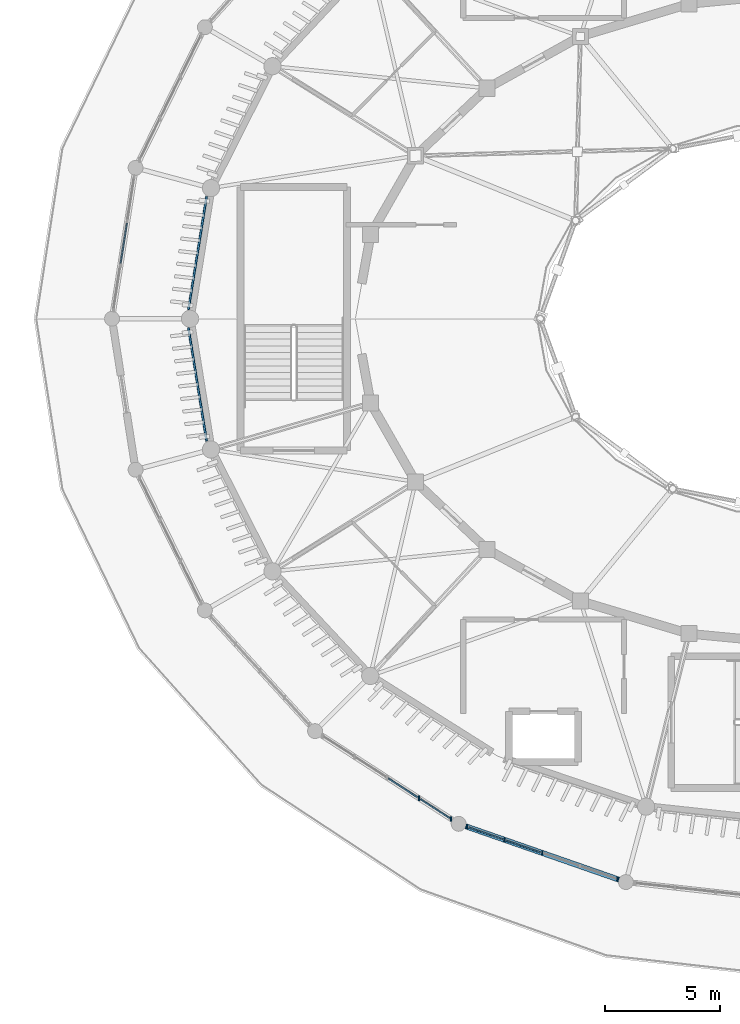
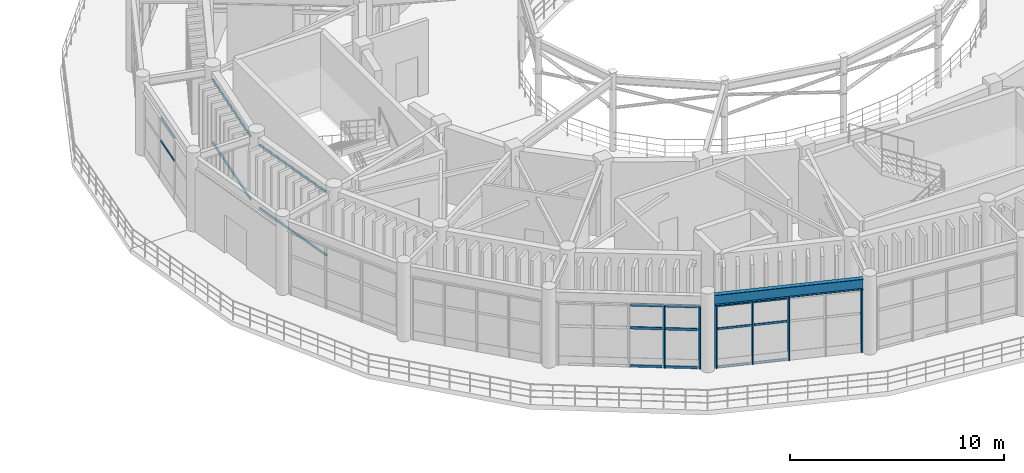
# One storey, part 7 of 45: 24 members, 1 beam, 3 elements without a shape of their own.
"""IFC4 building model written with IfcOpenShell, lengths in metres."""

from ifc_helpers import new_model, si_unit, direction, frame, origin, origin_2d, place, context, subcontext, project, spatial, rectangle, i_section, extrude, material, material_profile, profile_set, type_object, element, aggregate, save


model = new_model("IFC4")

# Units and contexts
model_context = context("Model", 3, precision=1e-05, world=origin(), true_north=direction((0.0, 1.0)))
body_context = subcontext(model_context, "Body", "Model", "MODEL_VIEW")
ifc_project = project(units=[si_unit("LENGTHUNIT", "METRE"), si_unit("AREAUNIT", "SQUARE_METRE"), si_unit("VOLUMEUNIT", "CUBIC_METRE"), si_unit("PLANEANGLEUNIT", "RADIAN"), si_unit("MASSUNIT", "GRAM", prefix="KILO")], contexts=[model_context])

# Site, building, storey
site_placement = place(None, origin())
site = spatial("IfcSite", under=ifc_project, at=site_placement, CompositionType="ELEMENT")
building_placement = place(site_placement, origin())
building = spatial("IfcBuilding", under=site, at=building_placement, Name="Cinderbank Siding Concert Hall", CompositionType="ELEMENT")
storey_placement = place(building_placement, frame((0.0, 0.0, 19.199951171875)))
storey = spatial("IfcBuildingStorey", under=building, at=storey_placement, Name="L05", CompositionType="ELEMENT", Elevation=19.199951171875)

# Beam
ifc_material_1 = material(Name="Structural steel AS/NZS 3679.1 Grade 350 (340 MPa)", Category="steel")
ifc_material_profile_1 = material_profile(ifc_material_1, i_section(OverallWidth=0.22802734375, OverallDepth=0.60693359375, WebThickness=0.01123046875, FlangeThickness=0.017333984375, at=origin_2d()), Name="610UB113", Category="LoadBearing")
ifc_profile_set_1 = profile_set([ifc_material_profile_1], Name="Structural steel AS/NZS 3679.1 Grade 350 (340 MPa)")
beam_type = type_object("IfcBeamType", Name="BM-UB610M 610UB113", PredefinedType="BEAM", material=ifc_profile_set_1)
beam_placement = place(storey_placement, frame((107.199462890625, 21.898681640625, 3.928466796875), z_axis=(0.944334299593, -0.328987432301, 0.0), x_axis=(0.328987432301, 0.944334299593, 0.0)))
element("IfcBeam", 1, at=beam_placement, inside=storey, type_object=beam_type, Name="L05 Beam BM-UB610M #775", PredefinedType="BEAM", context=body_context, shape_type="SweptSolid", body=[
    extrude(i_section(OverallWidth=0.22802734375, OverallDepth=0.60693359375, WebThickness=0.01123046875, FlangeThickness=0.017333984375, at=origin_2d()), origin(), (0.0, 0.0, 1.0), 7.078857421875),
])

# Curtain wall, members
ifc_material_2 = material(Name="Anodised aluminium alloy 6063-T6", Category="aluminium")
curtain_wall_type_1 = type_object("IfcCurtainWallType", Name="CW-09 Unitised Acoustic Curtain Wall 8000x3500", PredefinedType="NOTDEFINED", material=ifc_material_2)
curtain_wall_1_placement = place(storey_placement, origin())
curtain_wall_1 = element("IfcCurtainWall", 2, at=curtain_wall_1_placement, inside=storey, type_object=curtain_wall_type_1, Name="L05 Curtain Wall CW-09 #86", PredefinedType="NOTDEFINED")
ifc_material_profile_2 = material_profile(ifc_material_2, rectangle(XDim=0.06005859375, YDim=0.159912109375, at=origin_2d()), Name="ALU-MULL-60x160", Category="LoadBearing")
ifc_profile_set_2 = profile_set([ifc_material_profile_2], Name="Anodised aluminium alloy 6063-T6")
member_type_1 = type_object("IfcMemberType", Name="CW-ML1 Mullion 60x160", PredefinedType="MULLION", material=ifc_profile_set_2)
member_1_placement = place(storey_placement, frame((107.268310546875, 21.874755859375, 0.0), z_axis=(0.0, 0.0, 1.0), x_axis=(1.0, 0.0, 0.0)))
member_1 = element("IfcMember", 3, at=member_1_placement, type_object=member_type_1, Name="CW-L05-086 Mullion 0", PredefinedType="MULLION", context=body_context, shape_type="SweptSolid", body=[
    extrude(rectangle(XDim=0.06005859375, YDim=0.159912109375, at=origin_2d()), origin(), (0.0, 0.0, 1.0), 3.610107421875),
])
member_2_placement = place(storey_placement, frame((108.905029296875, 21.304443359375, 0.0), z_axis=(0.0, 0.0, 1.0), x_axis=(1.0, 0.0, 0.0)))
member_2 = element("IfcMember", 4, at=member_2_placement, type_object=member_type_1, Name="CW-L05-086 Mullion 1", PredefinedType="MULLION", context=body_context, shape_type="SweptSolid", body=[
    extrude(rectangle(XDim=0.06005859375, YDim=0.159912109375, at=origin_2d()), origin(), (0.0, 0.0, 1.0), 3.610107421875),
])
member_3_placement = place(storey_placement, frame((110.541748046875, 20.734130859375, 0.0), z_axis=(0.0, 0.0, 1.0), x_axis=(1.0, 0.0, 0.0)))
member_3 = element("IfcMember", 5, at=member_3_placement, type_object=member_type_1, Name="CW-L05-086 Mullion 2", PredefinedType="MULLION", context=body_context, shape_type="SweptSolid", body=[
    extrude(rectangle(XDim=0.06005859375, YDim=0.159912109375, at=origin_2d()), origin(), (0.0, 0.0, 1.0), 3.610107421875),
])
member_4_placement = place(storey_placement, frame((113.8154296875, 19.59375, 0.0), z_axis=(0.0, 0.0, 1.0), x_axis=(1.0, 0.0, 0.0)))
member_4 = element("IfcMember", 6, at=member_4_placement, type_object=member_type_1, Name="CW-L05-086 Mullion 4", PredefinedType="MULLION", context=body_context, shape_type="SweptSolid", body=[
    extrude(rectangle(XDim=0.06005859375, YDim=0.159912109375, at=origin_2d()), origin(), (0.0, 0.0, 1.0), 3.610107421875),
])

curtain_wall_type_2 = type_object("IfcCurtainWallType", Name="CW-12 Unitised Acoustic Curtain Wall 5800x3500", PredefinedType="NOTDEFINED", material=ifc_material_2)
curtain_wall_2_placement = place(storey_placement, origin())
curtain_wall_2 = element("IfcCurtainWall", 7, at=curtain_wall_2_placement, inside=storey, type_object=curtain_wall_type_2, Name="L05 Curtain Wall CW-12 #85", PredefinedType="NOTDEFINED")
ifc_material_profile_3 = material_profile(ifc_material_2, rectangle(XDim=0.06494140625, YDim=0.199951171875, at=origin_2d()), Name="ALU-MULL-65x200", Category="LoadBearing")
ifc_profile_set_3 = profile_set([ifc_material_profile_3], Name="Anodised aluminium alloy 6063-T6")
member_type_2 = type_object("IfcMemberType", Name="CW-ML2 Mullion 65x200", PredefinedType="MULLION", material=ifc_profile_set_3)
member_5_placement = place(storey_placement, frame((105.172607421875, 23.117919921875, 0.0), z_axis=(0.0, 0.0, 1.0), x_axis=(1.0, 0.0, 0.0)))
member_5 = element("IfcMember", 8, at=member_5_placement, type_object=member_type_2, Name="CW-L05-085 Mullion 3", PredefinedType="MULLION", context=body_context, shape_type="SweptSolid", body=[
    extrude(rectangle(XDim=0.06494140625, YDim=0.199951171875, at=origin_2d()), origin(), (0.0, 0.0, 1.0), 3.610107421875),
])
member_6_placement = place(storey_placement, frame((106.572265625, 22.214599609375, 0.0), z_axis=(0.0, 0.0, 1.0), x_axis=(1.0, 0.0, 0.0)))
member_6 = element("IfcMember", 9, at=member_6_placement, type_object=member_type_2, Name="CW-L05-085 Mullion 4", PredefinedType="MULLION", context=body_context, shape_type="SweptSolid", body=[
    extrude(rectangle(XDim=0.06494140625, YDim=0.199951171875, at=origin_2d()), origin(), (0.0, 0.0, 1.0), 3.610107421875),
])

curtain_wall_3_placement = place(storey_placement, origin())
curtain_wall_3 = element("IfcCurtainWall", 10, at=curtain_wall_3_placement, inside=storey, type_object=curtain_wall_type_2, Name="L05 Curtain Wall CW-12 #82", PredefinedType="NOTDEFINED")
ifc_material_profile_4 = material_profile(ifc_material_2, rectangle(XDim=0.06005859375, YDim=0.1201171875, at=origin_2d()), Name="ALU-TRAN-60x120", Category="LoadBearing")
ifc_profile_set_4 = profile_set([ifc_material_profile_4], Name="Anodised aluminium alloy 6063-T6")
member_type_3 = type_object("IfcMemberType", Name="CW-TR1 Transom 60x120", PredefinedType="USERDEFINED", material=ifc_profile_set_4)
member_7_placement = place(storey_placement, frame((92.45068359375, 48.157470703125, 2.23828125), z_axis=(-0.154617780003, -0.987974363082, 0.0), x_axis=(0.987974363082, -0.154617780003, 0.0)))
member_7 = element("IfcMember", 11, at=member_7_placement, type_object=member_type_3, Name="CW-L05-082 Transom 1-1", ObjectType="TRANSOM", PredefinedType="USERDEFINED", context=body_context, shape_type="SweptSolid", body=[
    extrude(rectangle(XDim=0.06005859375, YDim=0.1201171875, at=origin_2d()), origin(), (0.0, 0.0, 1.0), 1.76220703125),
])
member_8_placement = place(storey_placement, frame((92.45068359375, 48.157470703125, 3.550048828125), z_axis=(-0.154617780003, -0.987974363082, 0.0), x_axis=(0.987974363082, -0.154617780003, 0.0)))
member_8 = element("IfcMember", 12, at=member_8_placement, type_object=member_type_3, Name="CW-L05-082 Transom 1-2", ObjectType="TRANSOM", PredefinedType="USERDEFINED", context=body_context, shape_type="SweptSolid", body=[
    extrude(rectangle(XDim=0.06005859375, YDim=0.1201171875, at=origin_2d()), origin(), (0.0, 0.0, 1.0), 1.76220703125),
])
aggregate(curtain_wall_3, [member_7, member_8])

# Member
member_9_placement = place(storey_placement, frame((107.35009765625, 21.84619140625, 0.06005859375), z_axis=(0.944340450587, -0.328969775793, 0.0), x_axis=(0.328969775793, 0.944340450587, 0.0)))
member_9 = element("IfcMember", 13, at=member_9_placement, type_object=member_type_3, Name="CW-L05-086 Transom 0-0", ObjectType="TRANSOM", PredefinedType="USERDEFINED", context=body_context, shape_type="SweptSolid", body=[
    extrude(rectangle(XDim=0.06005859375, YDim=0.1201171875, at=origin_2d()), origin(), (0.0, 0.0, 1.0), 1.56005859375),
])

member_10_placement = place(storey_placement, frame((107.35009765625, 21.84619140625, 2.23828125), z_axis=(0.944340450587, -0.328969775793, 0.0), x_axis=(0.328969775793, 0.944340450587, 0.0)))
member_10 = element("IfcMember", 14, at=member_10_placement, type_object=member_type_3, Name="CW-L05-086 Transom 0-1", ObjectType="TRANSOM", PredefinedType="USERDEFINED", context=body_context, shape_type="SweptSolid", body=[
    extrude(rectangle(XDim=0.06005859375, YDim=0.1201171875, at=origin_2d()), origin(), (0.0, 0.0, 1.0), 1.56005859375),
])

member_11_placement = place(storey_placement, frame((107.35009765625, 21.84619140625, 3.550048828125), z_axis=(0.944340450587, -0.328969775793, 0.0), x_axis=(0.328969775793, 0.944340450587, 0.0)))
member_11 = element("IfcMember", 15, at=member_11_placement, type_object=member_type_3, Name="CW-L05-086 Transom 0-2", ObjectType="TRANSOM", PredefinedType="USERDEFINED", context=body_context, shape_type="SweptSolid", body=[
    extrude(rectangle(XDim=0.06005859375, YDim=0.1201171875, at=origin_2d()), origin(), (0.0, 0.0, 1.0), 1.56005859375),
])

member_12_placement = place(storey_placement, frame((108.98681640625, 21.27587890625, 0.06005859375), z_axis=(0.944340450587, -0.328969775793, 0.0), x_axis=(0.328969775793, 0.944340450587, 0.0)))
member_12 = element("IfcMember", 16, at=member_12_placement, type_object=member_type_3, Name="CW-L05-086 Transom 1-0", ObjectType="TRANSOM", PredefinedType="USERDEFINED", context=body_context, shape_type="SweptSolid", body=[
    extrude(rectangle(XDim=0.06005859375, YDim=0.1201171875, at=origin_2d()), origin(), (0.0, 0.0, 1.0), 1.56005859375),
])

member_13_placement = place(storey_placement, frame((108.98681640625, 21.27587890625, 2.23828125), z_axis=(0.944340450587, -0.328969775793, 0.0), x_axis=(0.328969775793, 0.944340450587, 0.0)))
member_13 = element("IfcMember", 17, at=member_13_placement, type_object=member_type_3, Name="CW-L05-086 Transom 1-1", ObjectType="TRANSOM", PredefinedType="USERDEFINED", context=body_context, shape_type="SweptSolid", body=[
    extrude(rectangle(XDim=0.06005859375, YDim=0.1201171875, at=origin_2d()), origin(), (0.0, 0.0, 1.0), 1.56005859375),
])

member_14_placement = place(storey_placement, frame((108.98681640625, 21.27587890625, 3.550048828125), z_axis=(0.944340450587, -0.328969775793, 0.0), x_axis=(0.328969775793, 0.944340450587, 0.0)))
member_14 = element("IfcMember", 18, at=member_14_placement, type_object=member_type_3, Name="CW-L05-086 Transom 1-2", ObjectType="TRANSOM", PredefinedType="USERDEFINED", context=body_context, shape_type="SweptSolid", body=[
    extrude(rectangle(XDim=0.06005859375, YDim=0.1201171875, at=origin_2d()), origin(), (0.0, 0.0, 1.0), 1.56005859375),
])

aggregate(curtain_wall_1, [member_1, member_2, member_3, member_4, member_9, member_10, member_11, member_12, member_13, member_14])

ifc_material_profile_5 = material_profile(ifc_material_2, rectangle(XDim=0.06494140625, YDim=0.14990234375, at=origin_2d()), Name="ALU-TRAN-65x150", Category="LoadBearing")
ifc_profile_set_5 = profile_set([ifc_material_profile_5], Name="Anodised aluminium alloy 6063-T6")
member_type_4 = type_object("IfcMemberType", Name="CW-TR2 Transom 65x150", PredefinedType="USERDEFINED", material=ifc_profile_set_5)
member_15_placement = place(storey_placement, frame((103.8427734375, 23.97607421875, 0.06005859375), z_axis=(0.840224854991, -0.542238133163, 0.0), x_axis=(0.542238133163, 0.840224854991, 0.0)))
member_15 = element("IfcMember", 19, at=member_15_placement, type_object=member_type_4, Name="CW-L05-085 Transom 2-0", ObjectType="TRANSOM", PredefinedType="USERDEFINED", context=body_context, shape_type="SweptSolid", body=[
    extrude(rectangle(XDim=0.06494140625, YDim=0.14990234375, at=origin_2d()), origin(), (0.0, 0.0, 1.0), 1.499267578125),
])

member_16_placement = place(storey_placement, frame((103.8427734375, 23.97607421875, 2.23828125), z_axis=(0.840224854991, -0.542238133163, 0.0), x_axis=(0.542238133163, 0.840224854991, 0.0)))
member_16 = element("IfcMember", 20, at=member_16_placement, type_object=member_type_4, Name="CW-L05-085 Transom 2-1", ObjectType="TRANSOM", PredefinedType="USERDEFINED", context=body_context, shape_type="SweptSolid", body=[
    extrude(rectangle(XDim=0.06494140625, YDim=0.14990234375, at=origin_2d()), origin(), (0.0, 0.0, 1.0), 1.499267578125),
])

member_17_placement = place(storey_placement, frame((103.8427734375, 23.97607421875, 3.550048828125), z_axis=(0.840224854991, -0.542238133163, 0.0), x_axis=(0.542238133163, 0.840224854991, 0.0)))
member_17 = element("IfcMember", 21, at=member_17_placement, type_object=member_type_4, Name="CW-L05-085 Transom 2-2", ObjectType="TRANSOM", PredefinedType="USERDEFINED", context=body_context, shape_type="SweptSolid", body=[
    extrude(rectangle(XDim=0.06494140625, YDim=0.14990234375, at=origin_2d()), origin(), (0.0, 0.0, 1.0), 1.499267578125),
])

member_18_placement = place(storey_placement, frame((105.242431640625, 23.07275390625, 0.06005859375), z_axis=(0.840150666065, -0.542353075322, 0.0), x_axis=(0.542353075322, 0.840150666065, 0.0)))
member_18 = element("IfcMember", 22, at=member_18_placement, type_object=member_type_4, Name="CW-L05-085 Transom 3-0", ObjectType="TRANSOM", PredefinedType="USERDEFINED", context=body_context, shape_type="SweptSolid", body=[
    extrude(rectangle(XDim=0.06494140625, YDim=0.14990234375, at=origin_2d()), origin(), (0.0, 0.0, 1.0), 1.49951171875),
])

member_19_placement = place(storey_placement, frame((105.242431640625, 23.07275390625, 2.23828125), z_axis=(0.840150666065, -0.542353075322, 0.0), x_axis=(0.542353075322, 0.840150666065, 0.0)))
member_19 = element("IfcMember", 23, at=member_19_placement, type_object=member_type_4, Name="CW-L05-085 Transom 3-1", ObjectType="TRANSOM", PredefinedType="USERDEFINED", context=body_context, shape_type="SweptSolid", body=[
    extrude(rectangle(XDim=0.06494140625, YDim=0.14990234375, at=origin_2d()), origin(), (0.0, 0.0, 1.0), 1.49951171875),
])

member_20_placement = place(storey_placement, frame((105.242431640625, 23.07275390625, 3.550048828125), z_axis=(0.840150666065, -0.542353075322, 0.0), x_axis=(0.542353075322, 0.840150666065, 0.0)))
member_20 = element("IfcMember", 24, at=member_20_placement, type_object=member_type_4, Name="CW-L05-085 Transom 3-2", ObjectType="TRANSOM", PredefinedType="USERDEFINED", context=body_context, shape_type="SweptSolid", body=[
    extrude(rectangle(XDim=0.06494140625, YDim=0.14990234375, at=origin_2d()), origin(), (0.0, 0.0, 1.0), 1.49951171875),
])

aggregate(curtain_wall_2, [member_5, member_6, member_15, member_16, member_17, member_18, member_19, member_20])

# Members
ifc_material_profile_6 = material_profile(ifc_material_2, rectangle(XDim=0.080078125, YDim=0.10009765625, at=origin_2d()), Name="ALU-RAIL-80x100", Category="LoadBearing")
ifc_profile_set_6 = profile_set([ifc_material_profile_6], Name="Anodised aluminium alloy 6063-T6")
member_type_5 = type_object("IfcMemberType", Name="LV-RL1 Carrier Rail 80x100", PredefinedType="STUD", material=ifc_profile_set_6)
for number, where, z_axis, x_axis, name in (
    (25, (95.922119140625, 49.322998046875, 0.219970703125), (-0.158322718802, -0.987387419765, 0.0), (0.987387419765, -0.158322718802, 0.0), "L05 Louvre Carrier Rail 12 BOT"),
    (26, (95.922119140625, 49.322998046875, 3.820068359375), (-0.158322718802, -0.987387419765, 0.0), (0.987387419765, -0.158322718802, 0.0), "L05 Louvre Carrier Rail 12 TOP"),
    (27, (95.132568359375, 43.60107421875, 0.219970703125), (0.158322718802, -0.987387419765, 0.0), (0.987387419765, 0.158322718802, 0.0), "L05 Louvre Carrier Rail 13 BOT"),
    (28, (95.132568359375, 43.60107421875, 3.820068359375), (0.158322718802, -0.987387419765, 0.0), (0.987387419765, 0.158322718802, 0.0), "L05 Louvre Carrier Rail 13 TOP"),
):
    element("IfcMember", number, at=place(storey_placement, frame(where, z_axis=z_axis, x_axis=x_axis)), inside=storey, type_object=member_type_5, Name=name, PredefinedType="STUD", context=body_context, shape_type="SweptSolid", body=[
        extrude(rectangle(XDim=0.080078125, YDim=0.10009765625, at=origin_2d()), origin(), (0.0, 0.0, 1.0), 4.987060546875),
    ])

save(model, "model.ifc")
